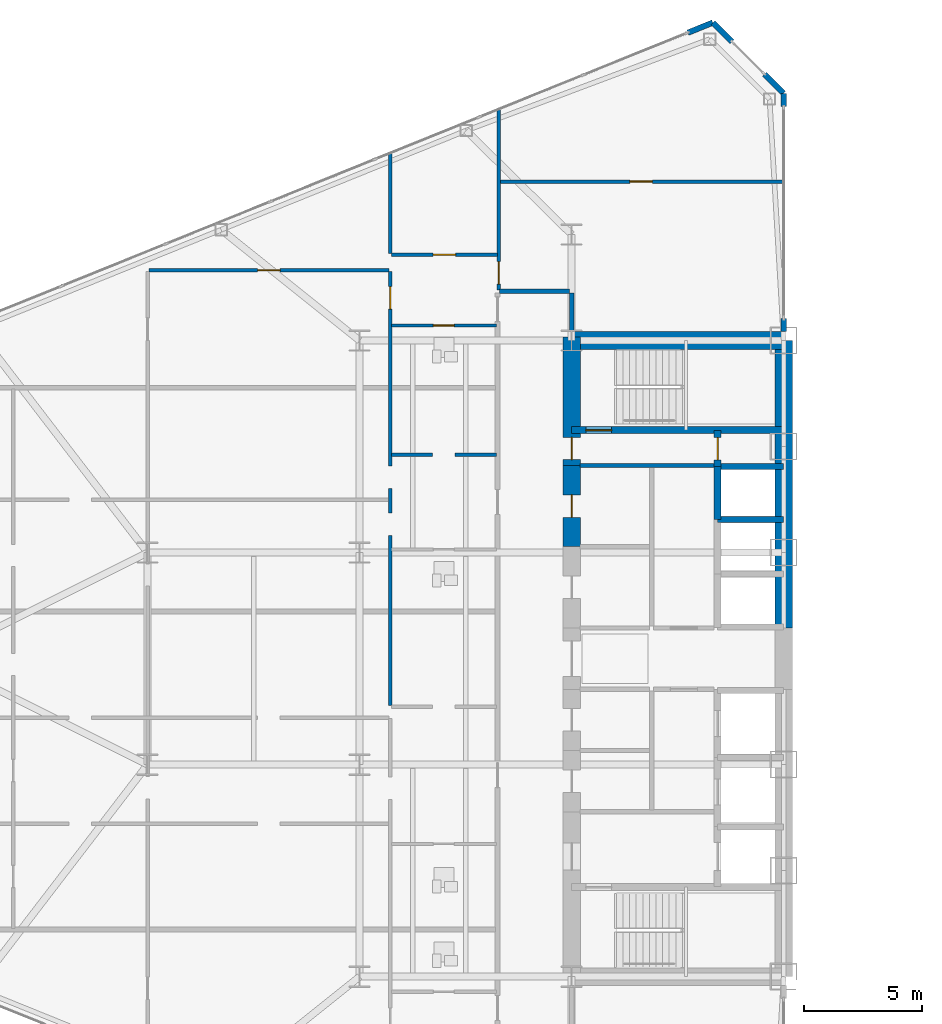
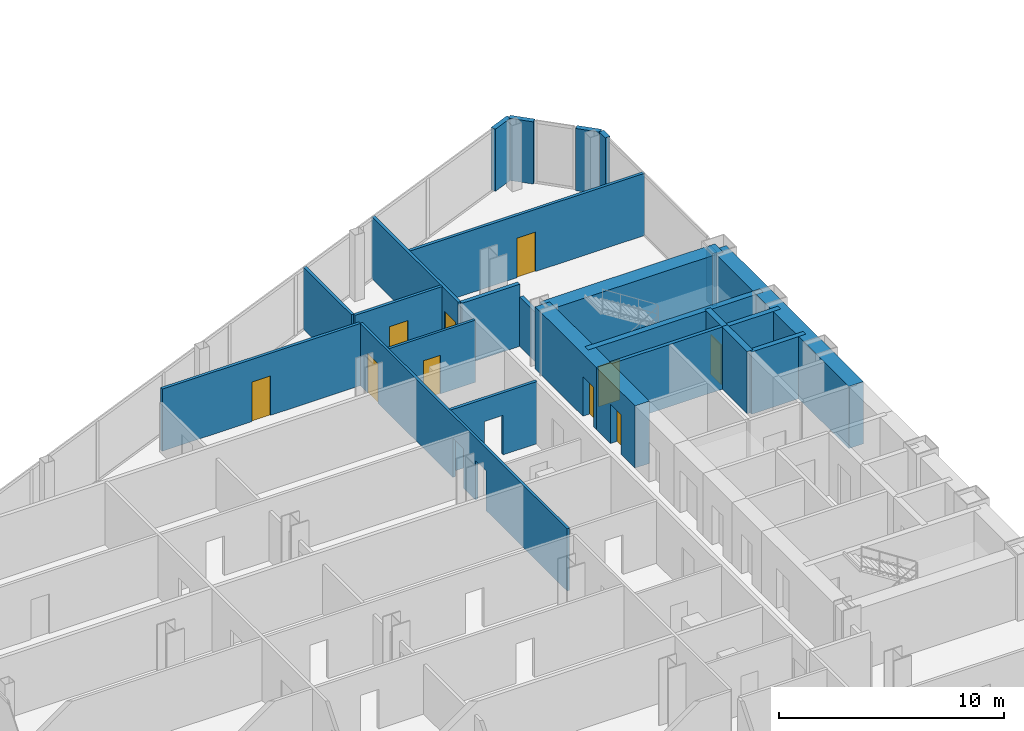
# One storey, part 19 of 25: 25 walls, 10 doors, 13 openings.
"""IFC4 building model written with IfcOpenShell, lengths in metres."""

from ifc_helpers import new_model, si_unit, direction, frame, frame_2d, origin, place, context, subcontext, project, spatial, rectangle, extrude, source, transform, mapped, material, layer, layer_set, type_object, type_shapes, element, fill, save


model = new_model("IFC4")

# Units and contexts
model_context = context("Model", 3, precision=1e-05, world=origin(), true_north=direction((0.0, 1.0)))
body_context = subcontext(model_context, "Body", "Model", "MODEL_VIEW")
ifc_project = project(units=[si_unit("LENGTHUNIT", "METRE"), si_unit("AREAUNIT", "SQUARE_METRE"), si_unit("VOLUMEUNIT", "CUBIC_METRE"), si_unit("PLANEANGLEUNIT", "RADIAN"), si_unit("MASSUNIT", "GRAM", prefix="KILO")], contexts=[model_context])

# Site, building, storey
site_placement = place(None, origin())
site = spatial("IfcSite", under=ifc_project, at=site_placement, CompositionType="ELEMENT")
building_placement = place(site_placement, origin())
building = spatial("IfcBuilding", under=site, at=building_placement, Name="Seokmaru Belvedere", CompositionType="ELEMENT")
storey_placement = place(building_placement, frame((0.0, 0.0, 29.699951171875)))
storey = spatial("IfcBuildingStorey", under=building, at=storey_placement, Name="L07", CompositionType="ELEMENT", Elevation=29.699951171875)

# Wall, opening
ifc_material_1 = material(Name="Fire-Rated Gypsum Shaftwall")
ifc_layer_1 = layer(ifc_material_1, 0.14990234375)
ifc_layer_set_1 = layer_set([ifc_layer_1], Name="Fire-Rated Gypsum Shaftwall")
wall_type_1 = type_object("IfcWallType", Name="Apartment Fire-Acoustic Room Partition 150", PredefinedType="PARTITIONING", material=ifc_layer_set_1)
wall_1_placement = place(storey_placement, frame((-44.14990234375, 8.64990234375, 0.0), z_axis=(0.0, 0.0, 1.0), x_axis=(1.0, 0.0, 0.0)))
wall_1 = element("IfcWall", 1, at=wall_1_placement, inside=storey, type_object=wall_type_1, Name="L07 Interior Partition 026", PredefinedType="PARTITIONING", context=body_context, shape_type="SweptSolid", body=[
    extrude(rectangle(XDim=4.449951171875, YDim=0.14990234375, at=frame_2d((2.22509765625, 0.0))), origin(), (0.0, 0.0, 1.0), 3.380126953125),
])
opening_1_placement = place(wall_1_placement, frame((1.75, 0.0, 0.0)))
element("IfcOpeningElement", 2, at=opening_1_placement, cuts=wall_1, Name="L07 Cased Opening 023", PredefinedType="OPENING", context=body_context, shape_type="SweptSolid", body=[
    extrude(rectangle(XDim=0.949951171875, YDim=2.14990234375, at=frame_2d((0.47509765625, 1.074951171875))), frame((0.0, 0.0849609375, 0.0), z_axis=(0.0, -1.0, 0.0), x_axis=(1.0, 0.0, 0.0)), (0.0, 0.0, 1.0), 0.169921875),
])

# Wall, opening, door
wall_2_placement = place(storey_placement, frame((-54.449951171875, 16.47998046875, 0.0), z_axis=(0.0, 0.0, 1.0), x_axis=(1.0, 0.0, 0.0)))
wall_2 = element("IfcWall", 3, at=wall_2_placement, inside=storey, type_object=wall_type_1, Name="L07 Interior Partition 034", PredefinedType="PARTITIONING", context=body_context, shape_type="SweptSolid", body=[
    extrude(rectangle(XDim=10.199951171875, YDim=0.14990234375, at=frame_2d((5.10009765625, 0.0))), origin(), (0.0, 0.0, 1.0), 3.380126953125),
])
opening_2_placement = place(wall_2_placement, frame((4.625, 0.0, 0.0)))
opening_2 = element("IfcOpeningElement", 4, at=opening_2_placement, cuts=wall_2, Name="Opening D05", PredefinedType="OPENING", context=body_context, shape_type="SweptSolid", body=[
    extrude(rectangle(XDim=0.949951171875, YDim=2.14990234375, at=frame_2d((0.47509765625, 1.074951171875))), frame((0.0, 0.0849609375, 0.0), z_axis=(0.0, -1.0, 0.0), x_axis=(1.0, 0.0, 0.0)), (0.0, 0.0, 1.0), 0.169921875),
])
ifc_material_2 = material(Name="Engineered White Oak Timber", Category="wood")
door_type_1 = type_object("IfcDoorType", Name="Apartment Interior Fire-Rated Oak Door 950x2150", OperationType="NOTDEFINED", PredefinedType="DOOR", material=ifc_material_2)
shared_shape_1 = source(origin(), body_context, "Body", "SweptSolid", [
    extrude(rectangle(XDim=0.949951171875, YDim=2.14990234375, at=frame_2d((0.47509765625, 1.074951171875))), frame((0.0, 0.02490234375, 0.0), z_axis=(0.0, -1.0, 0.0), x_axis=(1.0, 0.0, 0.0)), (0.0, 0.0, 1.0), 0.050048828125),
])
type_shapes(door_type_1, [shared_shape_1])
door_1_placement = place(opening_2_placement, origin())
door_1 = element("IfcDoor", 5, at=door_1_placement, inside=storey, type_object=door_type_1, Name="L07 Interior Door 036", OperationType="SINGLE_SWING_LEFT", OverallHeight=2.14990234375, OverallWidth=0.949951171875, PredefinedType="DOOR", context=body_context, shape_type="MappedRepresentation", body=[
    mapped(shared_shape_1, transform((0.0, 0.0, 0.0), scale=1.0)),
])
fill(opening_2, door_1)

wall_3_placement = place(storey_placement, frame((-44.14990234375, 17.139892578125, 0.0), z_axis=(0.0, 0.0, 1.0), x_axis=(1.0, 0.0, 0.0)))
wall_3 = element("IfcWall", 6, at=wall_3_placement, inside=storey, type_object=wall_type_1, Name="L07 Interior Partition 035", PredefinedType="PARTITIONING", context=body_context, shape_type="SweptSolid", body=[
    extrude(rectangle(XDim=4.5, YDim=0.14990234375, at=frame_2d((2.25, 0.0))), origin(), (0.0, 0.0, 1.0), 3.380126953125),
])
opening_3_placement = place(wall_3_placement, frame((1.77490234375, 0.0, 0.0)))
opening_3 = element("IfcOpeningElement", 7, at=opening_3_placement, cuts=wall_3, Name="Opening D05", PredefinedType="OPENING", context=body_context, shape_type="SweptSolid", body=[
    extrude(rectangle(XDim=0.949951171875, YDim=2.14990234375, at=frame_2d((0.47509765625, 1.074951171875))), frame((0.0, 0.0849609375, 0.0), z_axis=(0.0, -1.0, 0.0), x_axis=(1.0, 0.0, 0.0)), (0.0, 0.0, 1.0), 0.169921875),
])
door_2_placement = place(opening_3_placement, origin())
door_2 = element("IfcDoor", 8, at=door_2_placement, inside=storey, type_object=door_type_1, Name="L07 Interior Door 032", OperationType="SINGLE_SWING_LEFT", OverallHeight=2.14990234375, OverallWidth=0.949951171875, PredefinedType="DOOR", context=body_context, shape_type="MappedRepresentation", body=[
    mapped(shared_shape_1, transform((0.0, 0.0, 0.0), scale=1.0)),
])
fill(opening_3, door_2)

wall_4_placement = place(storey_placement, frame((-39.550048828125, 20.25, 0.0), z_axis=(0.0, 0.0, 1.0), x_axis=(1.0, 0.0, 0.0)))
wall_4 = element("IfcWall", 9, at=wall_4_placement, inside=storey, type_object=wall_type_1, Name="L07 Interior Partition 037", PredefinedType="PARTITIONING", context=body_context, shape_type="SweptSolid", body=[
    extrude(rectangle(XDim=12.0849609375, YDim=0.14990234375, at=frame_2d((6.04248046875, 0.0))), origin(), (0.0, 0.0, 1.0), 3.380126953125),
])
opening_4_placement = place(wall_4_placement, frame((5.52490234375, 0.0, 0.0)))
opening_4 = element("IfcOpeningElement", 10, at=opening_4_placement, cuts=wall_4, Name="Opening D05", PredefinedType="OPENING", context=body_context, shape_type="SweptSolid", body=[
    extrude(rectangle(XDim=0.949951171875, YDim=2.14990234375, at=frame_2d((0.47509765625, 1.074951171875))), frame((0.0, 0.0849609375, 0.0), z_axis=(0.0, -1.0, 0.0), x_axis=(1.0, 0.0, 0.0)), (0.0, 0.0, 1.0), 0.169921875),
])
door_3_placement = place(opening_4_placement, origin())
door_3 = element("IfcDoor", 11, at=door_3_placement, inside=storey, type_object=door_type_1, Name="L07 Interior Door 037", OperationType="SINGLE_SWING_RIGHT", OverallHeight=2.14990234375, OverallWidth=0.949951171875, PredefinedType="DOOR", context=body_context, shape_type="MappedRepresentation", body=[
    mapped(shared_shape_1, transform((0.0, 0.0, 0.0), scale=1.0)),
])
fill(opening_4, door_3)

# Wall
wall_5_placement = place(storey_placement, frame((-44.199951171875, 17.195068359375, 0.0), z_axis=(0.0, 0.0, 1.0), x_axis=(0.0, 1.0, 0.0)))
element("IfcWall", 12, at=wall_5_placement, inside=storey, type_object=wall_type_1, Name="L07 Interior Partition 044", PredefinedType="PARTITIONING", context=body_context, shape_type="SweptSolid", body=[
    extrude(rectangle(XDim=4.294921875, YDim=0.14990234375, at=frame_2d((2.1474609375, 0.0))), origin(), (0.0, 0.0, 1.0), 3.380126953125),
])

# Wall, opening, door
wall_6_placement = place(storey_placement, frame((-39.60009765625, 15.64990234375, 0.0), z_axis=(0.0, 0.0, 1.0), x_axis=(0.0, 1.0, 0.0)))
wall_6 = element("IfcWall", 13, at=wall_6_placement, inside=storey, type_object=wall_type_1, Name="L07 Interior Partition 047", PredefinedType="PARTITIONING", context=body_context, shape_type="SweptSolid", body=[
    extrude(rectangle(XDim=7.7021484375, YDim=0.14990234375, at=frame_2d((3.85107421875, 0.0))), origin(), (0.0, 0.0, 1.0), 3.380126953125),
])
opening_5_placement = place(wall_6_placement, frame((0.24755859375, 0.0, 0.0)))
opening_5 = element("IfcOpeningElement", 14, at=opening_5_placement, cuts=wall_6, Name="Opening D05", PredefinedType="OPENING", context=body_context, shape_type="SweptSolid", body=[
    extrude(rectangle(XDim=0.949951171875, YDim=2.14990234375, at=frame_2d((0.47509765625, 1.074951171875))), frame((0.0, 0.0849609375, 0.0), z_axis=(0.0, -1.0, 0.0), x_axis=(1.0, 0.0, 0.0)), (0.0, 0.0, 1.0), 0.169921875),
])
door_4_placement = place(opening_5_placement, origin())
door_4 = element("IfcDoor", 15, at=door_4_placement, inside=storey, type_object=door_type_1, Name="L07 Interior Door 034", OperationType="SINGLE_SWING_LEFT", OverallHeight=2.14990234375, OverallWidth=0.949951171875, PredefinedType="DOOR", context=body_context, shape_type="MappedRepresentation", body=[
    mapped(shared_shape_1, transform((0.0, 0.0, 0.0), scale=1.0)),
])
fill(opening_5, door_4)

# Walls
ifc_layer_2 = layer(ifc_material_1, 0.179931640625)
ifc_layer_set_2 = layer_set([ifc_layer_2], Name="Fire-Rated Gypsum Shaftwall")
wall_type_2 = type_object("IfcWallType", Name="Core Service Fire Partition 180", PredefinedType="PARTITIONING", material=ifc_layer_set_2)
wall_7_placement = place(storey_placement, frame((-36.14990234375, 8.199951171875, 0.0), z_axis=(0.0, 0.0, 1.0), x_axis=(1.0, 0.0, 0.0)))
element("IfcWall", 16, at=wall_7_placement, inside=storey, type_object=wall_type_2, Name="L07 West Smokeproof Vestibule Partition", PredefinedType="PARTITIONING", context=body_context, shape_type="SweptSolid", body=[
    extrude(rectangle(XDim=5.699951171875, YDim=0.179931640625, at=frame_2d((2.85009765625, 0.0))), origin(), (0.0, 0.0, 1.0), 3.380126953125),
])
ifc_material_3 = material(Name="Concrete C50 (50 MPa)", Category="concrete")
ifc_layer_3 = layer(ifc_material_3, 0.25)
ifc_layer_set_3 = layer_set([ifc_layer_3], Name="Concrete C50 (50 MPa)")
wall_type_3 = type_object("IfcWallType", Name="Hoistway Transverse Concrete Divider Wall 250", PredefinedType="SHEAR", material=ifc_layer_set_3)
for number, where, z_axis, x_axis, name in (
    (17, (-30.300048828125, 5.89990234375, 0.0), (0.0, 0.0, 1.0), (1.0, 0.0, 0.0), "L07 West Hoistway Divider Core Wall 6"),
    (18, (-30.300048828125, 8.14990234375, 0.0), (0.0, 0.0, 1.0), (1.0, 0.0, 0.0), "L07 West Hoistway Divider Core Wall 7"),
):
    element("IfcWall", number, at=place(storey_placement, frame(where, z_axis=z_axis, x_axis=x_axis)), inside=storey, type_object=wall_type_3, Name=name, PredefinedType="SHEAR", context=body_context, shape_type="SweptSolid", body=[
        extrude(rectangle(XDim=2.800048828125, YDim=0.25, at=frame_2d((1.39990234375, 0.0))), origin(), (0.0, 0.0, 1.0), 3.380126953125),
    ])
ifc_layer_4 = layer(ifc_material_1, 0.199951171875)
ifc_layer_set_4 = layer_set([ifc_layer_4], Name="Fire-Rated Gypsum Shaftwall")
wall_type_4 = type_object("IfcWallType", Name="Inter-Tenancy Fire Compartment Partition 200", PredefinedType="PARTITIONING", material=ifc_layer_set_4)
wall_8_placement = place(storey_placement, frame((-39.56494140625, 15.60009765625, 0.0), z_axis=(0.0, 0.0, 1.0), x_axis=(1.0, 0.0, 0.0)))
element("IfcWall", 19, at=wall_8_placement, inside=storey, type_object=wall_type_4, Name="L07 Interior Partition 032", PredefinedType="PARTITIONING", context=body_context, shape_type="SweptSolid", body=[
    extrude(rectangle(XDim=2.97998046875, YDim=0.199951171875, at=frame_2d((1.489990234375, 0.0))), origin(), (0.0, 0.0, 1.0), 3.380126953125),
])
wall_9_placement = place(storey_placement, frame((-36.5, 13.8798828125, 0.0), z_axis=(0.0, 0.0, 1.0), x_axis=(0.0, 1.0, 0.0)))
element("IfcWall", 20, at=wall_9_placement, inside=storey, type_object=wall_type_4, Name="L07 Interior Partition 049", PredefinedType="PARTITIONING", context=body_context, shape_type="SweptSolid", body=[
    extrude(rectangle(XDim=1.635009765625, YDim=0.199951171875, at=frame_2d((0.8173828125, 0.0))), origin(), (0.0, 0.0, 1.0), 2.679931640625),
])

# Wall, opening, door
ifc_layer_5 = layer(ifc_material_3, 0.300048828125)
ifc_layer_set_5 = layer_set([ifc_layer_5], Name="Concrete C50 (50 MPa)")
wall_type_5 = type_object("IfcWallType", Name="Internal Core Stair and Hoistway Wall 300", PredefinedType="SHEAR", material=ifc_layer_set_5)
wall_10_placement = place(storey_placement, frame((-36.5, 9.699951171875, 0.0), z_axis=(0.0, 0.0, 1.0), x_axis=(1.0, 0.0, 0.0)))
wall_10 = element("IfcWall", 21, at=wall_10_placement, inside=storey, type_object=wall_type_5, Name="L07 West Stair ST-2 Enclosure Wall", PredefinedType="SHEAR", context=body_context, shape_type="SweptSolid", body=[
    extrude(rectangle(XDim=9.0, YDim=0.300048828125, at=frame_2d((4.5, 0.0))), origin(), (0.0, 0.0, 1.0), 3.380126953125),
])
opening_6_placement = place(wall_10_placement, frame((0.60009765625, 0.0, 0.0)))
opening_6 = element("IfcOpeningElement", 22, at=opening_6_placement, cuts=wall_10, Name="Opening D01", PredefinedType="OPENING", context=body_context, shape_type="SweptSolid", body=[
    extrude(rectangle(XDim=1.10009765625, YDim=2.199951171875, at=frame_2d((0.550048828125, 1.10009765625))), frame((0.0, 0.16015625, 0.0), z_axis=(0.0, -1.0, 0.0), x_axis=(1.0, 0.0, 0.0)), (0.0, 0.0, 1.0), 0.320068359375),
])
ifc_material_4 = material(Name="Fire-Rated Steel Leaf", Category="steel")
door_type_2 = type_object("IfcDoorType", Name="Special Escape Stair Smokeproof Fire Door 1100x2200", OperationType="NOTDEFINED", PredefinedType="DOOR", material=ifc_material_4)
shared_shape_2 = source(origin(), body_context, "Body", "SweptSolid", [
    extrude(rectangle(XDim=1.10009765625, YDim=2.199951171875, at=frame_2d((0.550048828125, 1.10009765625))), frame((0.0, 0.02490234375, 0.0), z_axis=(0.0, -1.0, 0.0), x_axis=(1.0, 0.0, 0.0)), (0.0, 0.0, 1.0), 0.050048828125),
])
type_shapes(door_type_2, [shared_shape_2])
door_5_placement = place(opening_6_placement, origin())
door_5 = element("IfcDoor", 23, at=door_5_placement, inside=storey, type_object=door_type_2, Name="L07 West Special Escape Stair ST-2 Door", OperationType="SINGLE_SWING_RIGHT", OverallHeight=2.199951171875, OverallWidth=1.10009765625, PredefinedType="DOOR", context=body_context, shape_type="MappedRepresentation", body=[
    mapped(shared_shape_2, transform((0.0, 0.0, 0.0), scale=1.0)),
])
fill(opening_6, door_5)

# Wall
wall_11_placement = place(storey_placement, frame((-30.300048828125, 5.89990234375, 0.0), z_axis=(0.0, 0.0, 1.0), x_axis=(0.0, 1.0, 0.0)))
element("IfcWall", 24, at=wall_11_placement, inside=storey, type_object=wall_type_5, Name="L07 West North Hoistway Wall OBS", PredefinedType="SHEAR", context=body_context, shape_type="SweptSolid", body=[
    extrude(rectangle(XDim=2.25, YDim=0.300048828125, at=frame_2d((1.125, 0.0))), origin(), (0.0, 0.0, 1.0), 3.380126953125),
])

# Wall, opening, door
wall_12_placement = place(storey_placement, frame((-30.300048828125, 8.14990234375, 0.0), z_axis=(0.0, 0.0, 1.0), x_axis=(0.0, 1.0, 0.0)))
wall_12 = element("IfcWall", 25, at=wall_12_placement, inside=storey, type_object=wall_type_5, Name="L07 West Electrical Riser Front Wall", PredefinedType="SHEAR", context=body_context, shape_type="SweptSolid", body=[
    extrude(rectangle(XDim=1.530029296875, YDim=0.300048828125, at=frame_2d((0.76513671875, 0.0))), origin(), (0.0, 0.0, 1.0), 3.380126953125),
])
opening_7_placement = place(wall_12_placement, frame((0.284912109375, 0.0, 0.0)))
opening_7 = element("IfcOpeningElement", 26, at=opening_7_placement, cuts=wall_12, Name="Opening D04", PredefinedType="OPENING", context=body_context, shape_type="SweptSolid", body=[
    extrude(rectangle(XDim=0.949951171875, YDim=2.14990234375, at=frame_2d((0.47509765625, 1.074951171875))), frame((0.0, 0.16015625, 0.0), z_axis=(0.0, -1.0, 0.0), x_axis=(1.0, 0.0, 0.0)), (0.0, 0.0, 1.0), 0.320068359375),
])
door_type_3 = type_object("IfcDoorType", Name="Core Service Room Fire Door 950x2150", OperationType="NOTDEFINED", PredefinedType="DOOR", material=ifc_material_4)
shared_shape_3 = source(origin(), body_context, "Body", "SweptSolid", [
    extrude(rectangle(XDim=0.949951171875, YDim=2.14990234375, at=frame_2d((0.47509765625, 1.074951171875))), frame((0.0, 0.02490234375, 0.0), z_axis=(0.0, -1.0, 0.0), x_axis=(1.0, 0.0, 0.0)), (0.0, 0.0, 1.0), 0.050048828125),
])
type_shapes(door_type_3, [shared_shape_3])
door_6_placement = place(opening_7_placement, origin())
door_6 = element("IfcDoor", 27, at=door_6_placement, inside=storey, type_object=door_type_3, Name="L07 West Electrical Riser Access Door", OperationType="SINGLE_SWING_LEFT", OverallHeight=2.14990234375, OverallWidth=0.949951171875, PredefinedType="DOOR", context=body_context, shape_type="MappedRepresentation", body=[
    mapped(shared_shape_3, transform((0.0, 0.0, 0.0), scale=1.0)),
])
fill(opening_7, door_6)

# Walls
ifc_material_5 = material(Name="Concrete C60 (60 MPa)", Category="concrete")
ifc_layer_6 = layer(ifc_material_5, 0.75)
ifc_layer_set_6 = layer_set([ifc_layer_6], Name="Concrete C60 (60 MPa)")
wall_type_6 = type_object("IfcWallType", Name="Lower Tower Reinforced Concrete Core Wall 750", PredefinedType="SHEAR", material=ifc_layer_set_6)
wall_13_placement = place(storey_placement, frame((-27.5, 1.300048828125, 0.0), z_axis=(0.0, 0.0, 1.0), x_axis=(0.0, 1.0, 0.0)))
element("IfcWall", 28, at=wall_13_placement, inside=storey, type_object=wall_type_6, Name="L07 West Portal Spine Core Wall North", PredefinedType="SHEAR", context=body_context, shape_type="SweptSolid", body=[
    extrude(rectangle(XDim=12.199951171875, YDim=0.75, at=frame_2d((6.10009765625, 0.0))), origin(), (0.0, 0.0, 1.0), 3.380126953125),
])
wall_14_placement = place(storey_placement, frame((-36.5, 13.5, 0.0), z_axis=(0.0, 0.0, 1.0), x_axis=(1.0, 0.0, 0.0)))
element("IfcWall", 29, at=wall_14_placement, inside=storey, type_object=wall_type_6, Name="L07 West North Core Wall", PredefinedType="SHEAR", context=body_context, shape_type="SweptSolid", body=[
    extrude(rectangle(XDim=9.0, YDim=0.75, at=frame_2d((4.5, 0.0))), origin(), (0.0, 0.0, 1.0), 3.380126953125),
])

# Wall, opening, door
wall_15_placement = place(storey_placement, frame((-36.5, 8.199951171875, 0.0), z_axis=(0.0, 0.0, 1.0), x_axis=(0.0, 1.0, 0.0)))
wall_15 = element("IfcWall", 30, at=wall_15_placement, inside=storey, type_object=wall_type_6, Name="L07 West West Core Wall VST", PredefinedType="SHEAR", context=body_context, shape_type="SweptSolid", body=[
    extrude(rectangle(XDim=5.449951171875, YDim=0.75, at=frame_2d((2.72509765625, 0.0))), origin(), (0.0, 0.0, 1.0), 3.380126953125),
])
opening_8_placement = place(wall_15_placement, frame((0.2451171875, 0.0, 0.0)))
opening_8 = element("IfcOpeningElement", 31, at=opening_8_placement, cuts=wall_15, Name="Opening D04", PredefinedType="OPENING", context=body_context, shape_type="SweptSolid", body=[
    extrude(rectangle(XDim=0.949951171875, YDim=2.14990234375, at=frame_2d((0.47509765625, 1.074951171875))), frame((0.0, 0.385009765625, 0.0), z_axis=(0.0, -1.0, 0.0), x_axis=(1.0, 0.0, 0.0)), (0.0, 0.0, 1.0), 0.77001953125),
])
door_7_placement = place(opening_8_placement, frame((0.949951171875, 0.0, 0.0), z_axis=(0.0, 0.0, 1.0), x_axis=(-1.0, 0.0, 0.0)))
door_7 = element("IfcDoor", 32, at=door_7_placement, inside=storey, type_object=door_type_3, Name="L07 West Smokeproof Vestibule Door", OperationType="SINGLE_SWING_RIGHT", OverallHeight=2.14990234375, OverallWidth=0.949951171875, PredefinedType="DOOR", context=body_context, shape_type="MappedRepresentation", body=[
    mapped(shared_shape_3, transform((0.0, 0.0, 0.0), scale=1.0)),
])
fill(opening_8, door_7)

wall_16_placement = place(storey_placement, frame((-36.5, 4.75, 0.0), z_axis=(0.0, 0.0, 1.0), x_axis=(0.0, 1.0, 0.0)))
wall_16 = element("IfcWall", 33, at=wall_16_placement, inside=storey, type_object=wall_type_6, Name="L07 West West Core Wall CS4", PredefinedType="SHEAR", context=body_context, shape_type="SweptSolid", body=[
    extrude(rectangle(XDim=3.449951171875, YDim=0.75, at=frame_2d((1.72509765625, 0.0))), origin(), (0.0, 0.0, 1.0), 3.380126953125),
])
opening_9_placement = place(wall_16_placement, frame((1.25, 0.0, 0.0)))
opening_9 = element("IfcOpeningElement", 34, at=opening_9_placement, cuts=wall_16, Name="Opening D04", PredefinedType="OPENING", context=body_context, shape_type="SweptSolid", body=[
    extrude(rectangle(XDim=0.949951171875, YDim=2.14990234375, at=frame_2d((0.47509765625, 1.074951171875))), frame((0.0, 0.385009765625, 0.0), z_axis=(0.0, -1.0, 0.0), x_axis=(1.0, 0.0, 0.0)), (0.0, 0.0, 1.0), 0.77001953125),
])
door_8_placement = place(opening_9_placement, origin())
door_8 = element("IfcDoor", 35, at=door_8_placement, inside=storey, type_object=door_type_3, Name="L07 West Core Service Room Door 4", OperationType="SINGLE_SWING_RIGHT", OverallHeight=2.14990234375, OverallWidth=0.949951171875, PredefinedType="DOOR", context=body_context, shape_type="MappedRepresentation", body=[
    mapped(shared_shape_3, transform((0.0, 0.0, 0.0), scale=1.0)),
])
fill(opening_9, door_8)

ifc_layer_7 = layer(ifc_material_1, 0.1298828125)
ifc_layer_set_7 = layer_set([ifc_layer_7], Name="Fire-Rated Gypsum Shaftwall")
wall_type_7 = type_object("IfcWallType", Name="Moisture-Resistant Fire-Rated Bathroom Partition 130", PredefinedType="PARTITIONING", material=ifc_layer_set_7)
wall_17_placement = place(storey_placement, frame((-44.14990234375, 14.139892578125, 0.0), z_axis=(0.0, 0.0, 1.0), x_axis=(1.0, 0.0, 0.0)))
wall_17 = element("IfcWall", 36, at=wall_17_placement, inside=storey, type_object=wall_type_7, Name="L07 Interior Partition 031", PredefinedType="PARTITIONING", context=body_context, shape_type="SweptSolid", body=[
    extrude(rectangle(XDim=4.449951171875, YDim=0.1298828125, at=frame_2d((2.22509765625, 0.0))), origin(), (0.0, 0.0, 1.0), 3.380126953125),
])
opening_10_placement = place(wall_17_placement, frame((1.784912109375, 0.0, 0.0)))
opening_10 = element("IfcOpeningElement", 37, at=opening_10_placement, cuts=wall_17, Name="Opening D06", PredefinedType="OPENING", context=body_context, shape_type="SweptSolid", body=[
    extrude(rectangle(XDim=0.8798828125, YDim=2.10009765625, at=frame_2d((0.43994140625, 1.050048828125))), frame((0.0, 0.074951171875, 0.0), z_axis=(0.0, -1.0, 0.0), x_axis=(1.0, 0.0, 0.0)), (0.0, 0.0, 1.0), 0.14990234375),
])
door_type_4 = type_object("IfcDoorType", Name="Bathroom and Restroom Fire-Rated Door 880x2100", OperationType="NOTDEFINED", PredefinedType="DOOR", material=ifc_material_2)
shared_shape_4 = source(origin(), body_context, "Body", "SweptSolid", [
    extrude(rectangle(XDim=0.8798828125, YDim=2.10009765625, at=frame_2d((0.43994140625, 1.050048828125))), frame((0.0, 0.02490234375, 0.0), z_axis=(0.0, -1.0, 0.0), x_axis=(1.0, 0.0, 0.0)), (0.0, 0.0, 1.0), 0.050048828125),
])
type_shapes(door_type_4, [shared_shape_4])
door_9_placement = place(opening_10_placement, origin())
door_9 = element("IfcDoor", 38, at=door_9_placement, inside=storey, type_object=door_type_4, Name="L07 Interior Door 031", OperationType="SINGLE_SWING_LEFT", OverallHeight=2.10009765625, OverallWidth=0.8798828125, PredefinedType="DOOR", context=body_context, shape_type="MappedRepresentation", body=[
    mapped(shared_shape_4, transform((0.0, 0.0, 0.0), scale=1.0)),
])
fill(opening_10, door_9)

# Wall, openings, door
wall_18_placement = place(storey_placement, frame((-44.199951171875, -1.998046875, 0.0), z_axis=(0.0, 0.0, 1.0), x_axis=(0.0, 1.0, 0.0)))
wall_18 = element("IfcWall", 39, at=wall_18_placement, inside=storey, type_object=wall_type_7, Name="L07 Interior Partition 043", PredefinedType="PARTITIONING", context=body_context, shape_type="SweptSolid", body=[
    extrude(rectangle(XDim=18.425048828125, YDim=0.1298828125, at=frame_2d((9.21240234375, 0.0))), origin(), (0.0, 0.0, 1.0), 3.380126953125),
])
opening_11_placement = place(wall_18_placement, frame((7.220458984375, 0.0, 0.0)))
element("IfcOpeningElement", 40, at=opening_11_placement, cuts=wall_18, Name="L07 Cased Opening 024", PredefinedType="OPENING", context=body_context, shape_type="SweptSolid", body=[
    extrude(rectangle(XDim=0.949951171875, YDim=2.14990234375, at=frame_2d((0.47509765625, 1.074951171875))), frame((0.0, 0.074951171875, 0.0), z_axis=(0.0, -1.0, 0.0), x_axis=(1.0, 0.0, 0.0)), (0.0, 0.0, 1.0), 0.14990234375),
])
opening_12_placement = place(wall_18_placement, frame((9.22412109375, 0.0, 0.0)))
element("IfcOpeningElement", 41, at=opening_12_placement, cuts=wall_18, Name="L07 Cased Opening 025", PredefinedType="OPENING", context=body_context, shape_type="SweptSolid", body=[
    extrude(rectangle(XDim=0.949951171875, YDim=2.14990234375, at=frame_2d((0.47509765625, 1.074951171875))), frame((0.0, 0.074951171875, 0.0), z_axis=(0.0, -1.0, 0.0), x_axis=(1.0, 0.0, 0.0)), (0.0, 0.0, 1.0), 0.14990234375),
])
opening_13_placement = place(wall_18_placement, frame((16.834228515625, 0.0, 0.0)))
opening_13 = element("IfcOpeningElement", 42, at=opening_13_placement, cuts=wall_18, Name="Opening D05", PredefinedType="OPENING", context=body_context, shape_type="SweptSolid", body=[
    extrude(rectangle(XDim=0.949951171875, YDim=2.14990234375, at=frame_2d((0.47509765625, 1.074951171875))), frame((0.0, 0.074951171875, 0.0), z_axis=(0.0, -1.0, 0.0), x_axis=(1.0, 0.0, 0.0)), (0.0, 0.0, 1.0), 0.14990234375),
])
door_10_placement = place(opening_13_placement, origin())
door_10 = element("IfcDoor", 43, at=door_10_placement, inside=storey, type_object=door_type_1, Name="L07 Interior Door 033", OperationType="SINGLE_SWING_RIGHT", OverallHeight=2.14990234375, OverallWidth=0.949951171875, PredefinedType="DOOR", context=body_context, shape_type="MappedRepresentation", body=[
    mapped(shared_shape_1, transform((0.0, 0.0, 0.0), scale=1.0)),
])
fill(opening_13, door_10)

# Walls
ifc_material_6 = material(Name="Anodised Bronze Aluminium", Category="aluminium")
ifc_layer_8 = layer(ifc_material_6, 0.239990234375)
ifc_layer_set_8 = layer_set([ifc_layer_8], Name="Anodised Bronze Aluminium")
wall_type_8 = type_object("IfcWallType", Name="Tower Corner Spandrel Closure Wall 240", PredefinedType="SOLIDWALL", material=ifc_layer_set_8)
wall_19_placement = place(storey_placement, frame((-27.5, 13.8798828125, 0.0), z_axis=(0.0, 0.0, 1.0), x_axis=(0.0, 1.0, 0.0)))
element("IfcWall", 44, at=wall_19_placement, inside=storey, type_object=wall_type_8, Name="L07 W Spine Closure Pier 2A", PredefinedType="SOLIDWALL", context=body_context, shape_type="SweptSolid", body=[
    extrude(rectangle(XDim=0.550048828125, YDim=0.239990234375, at=frame_2d((0.27490234375, 0.0))), origin(), (0.0, 0.0, 1.0), 2.880126953125),
])
wall_20_placement = place(storey_placement, frame((-27.5, 23.429931640625, 0.0), z_axis=(0.0, 0.0, 1.0), x_axis=(0.0, 1.0, 0.0)))
element("IfcWall", 45, at=wall_20_placement, inside=storey, type_object=wall_type_8, Name="L07 W Spine Closure Pier 2B", PredefinedType="SOLIDWALL", context=body_context, shape_type="SweptSolid", body=[
    extrude(rectangle(XDim=0.550048828125, YDim=0.239990234375, at=frame_2d((0.27490234375, 0.0))), origin(), (0.0, 0.0, 1.0), 3.380126953125),
])
for number, where, z_axis, x_axis, name in (
    (46, (-27.507080078125, 24.007080078125, 0.0), (0.0, 0.0, 1.0), (-0.707106781187, 0.707106781187, 0.0), "L07 W Corner Closure Pier 2A"),
    (47, (-29.686767578125, 26.186767578125, 0.0), (0.0, 0.0, 1.0), (-0.707106781187, 0.707106781187, 0.0), "L07 W Corner Closure Pier 2B"),
):
    element("IfcWall", number, at=place(storey_placement, frame(where, z_axis=z_axis, x_axis=x_axis)), inside=storey, type_object=wall_type_8, Name=name, PredefinedType="SOLIDWALL", context=body_context, shape_type="SweptSolid", body=[
        extrude(rectangle(XDim=1.14013671875, YDim=0.239990234375, at=frame_2d((0.570068359375, 0.0))), origin(), (0.0, 0.0, 1.0), 3.380126953125),
    ])
wall_21_placement = place(storey_placement, frame((-30.50927734375, 26.99609375, 0.0), z_axis=(0.0, 0.0, 1.0), x_axis=(-0.927007103665, -0.375043770452, 0.0)))
element("IfcWall", 48, at=wall_21_placement, inside=storey, type_object=wall_type_8, Name="L07 W Corner Closure Pier 3A", PredefinedType="SOLIDWALL", context=body_context, shape_type="SweptSolid", body=[
    extrude(rectangle(XDim=1.139892578125, YDim=0.239990234375, at=frame_2d((0.56982421875, 0.0))), origin(), (0.0, 0.0, 1.0), 3.380126953125),
])

save(model, "model.ifc")
